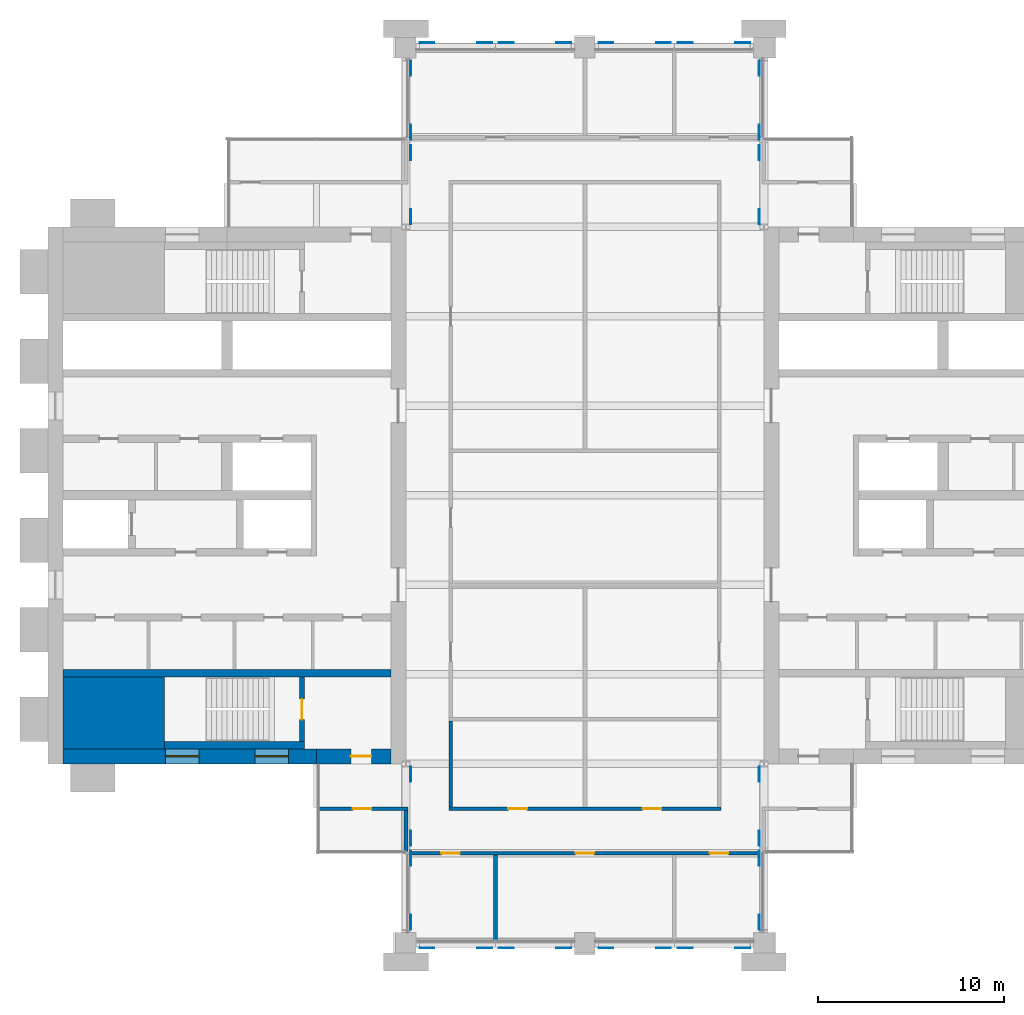
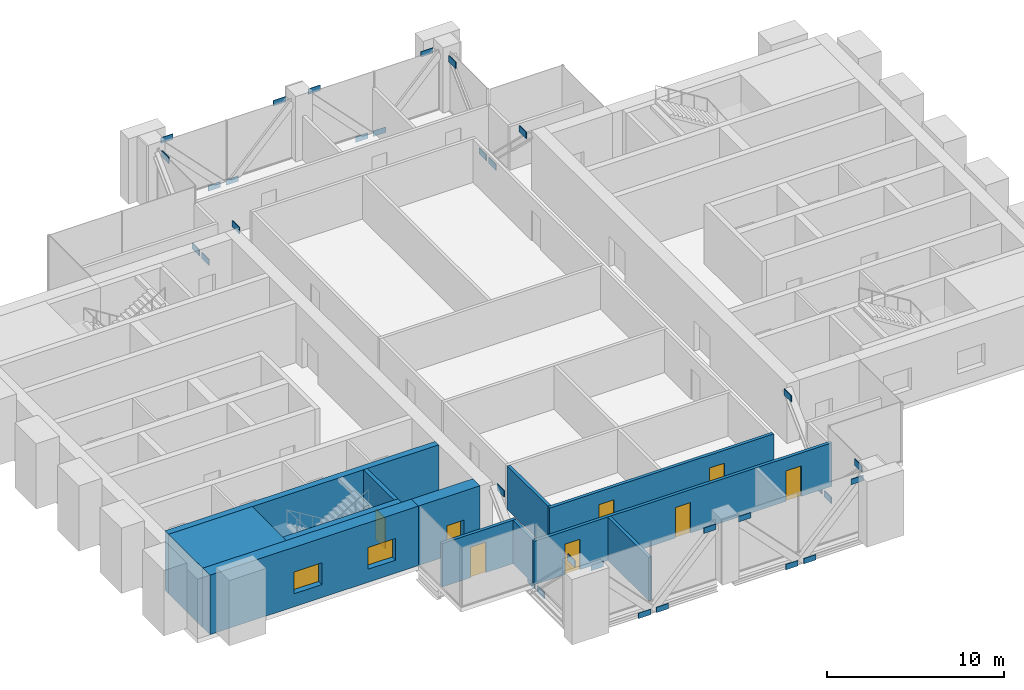
# One storey, part 8 of 13: 32 plates, 12 walls, 8 doors, 2 windows, 10 openings.
"""IFC4 building model written with IfcOpenShell, lengths in metres."""

from ifc_helpers import new_model, si_unit, direction, frame, frame_2d, origin, place, context, subcontext, project, spatial, polyline, rectangle, outline, extrude, material, layer, layer_set, type_object, element, fill, save


model = new_model("IFC4")

# Units and contexts
model_context = context("Model", 3, precision=1e-05, world=origin(), true_north=direction((0.0, 1.0)))
body_context = subcontext(model_context, "Body", "Model", "MODEL_VIEW")
ifc_project = project(units=[si_unit("LENGTHUNIT", "METRE"), si_unit("AREAUNIT", "SQUARE_METRE"), si_unit("VOLUMEUNIT", "CUBIC_METRE"), si_unit("PLANEANGLEUNIT", "RADIAN"), si_unit("MASSUNIT", "GRAM", prefix="KILO")], contexts=[model_context])

# Site, building, storey
site_placement = place(None, origin())
site = spatial("IfcSite", under=ifc_project, at=site_placement, CompositionType="ELEMENT")
building_placement = place(site_placement, origin())
building = spatial("IfcBuilding", under=site, at=building_placement, Name="Baori Bourse Tower", CompositionType="ELEMENT")
storey_placement = place(building_placement, frame((0.0, 0.0, 265.199951171875)))
storey = spatial("IfcBuildingStorey", under=building, at=storey_placement, Name="L59", CompositionType="ELEMENT", Elevation=265.199951171875)

# Plates
ifc_material_1 = material(Name="Steel A572 Gr 50", Category="steel")
ifc_layer_1 = layer(ifc_material_1, 0.0400390625)
ifc_layer_set_1 = layer_set([ifc_layer_1], Name="Gusset plate 40")
plate_type_1 = type_object("IfcPlateType", Name="Gusset plate 40", PredefinedType="SHEET", material=ifc_layer_set_1)
plate_1_placement = place(storey_placement, frame((0.0, 0.0, 3.701171875)))
element("IfcPlate", 1, at=plate_1_placement, inside=storey, type_object=plate_type_1, Name="Gusset plate", PredefinedType="SHEET", context=body_context, shape_type="SweptSolid", body=[
    extrude(outline(polyline([(19.9326171875, -0.2939453125), (20.732666015625, -0.2939453125), (20.732666015625, -0.25390625), (19.9326171875, -0.25390625), (19.9326171875, -0.2939453125)])), origin(), (0.0, 0.0, 1.0), 0.3759765625),
])
plate_2_placement = place(storey_placement, frame((0.0, 0.0, -0.67578125)))
element("IfcPlate", 2, at=plate_2_placement, inside=storey, type_object=plate_type_1, Name="Gusset plate", PredefinedType="SHEET", context=body_context, shape_type="SweptSolid", body=[
    extrude(outline(polyline([(23.017333984375, -0.2939453125), (23.8173828125, -0.2939453125), (23.8173828125, -0.25390625), (23.017333984375, -0.25390625), (23.017333984375, -0.2939453125)])), origin(), (0.0, 0.0, 1.0), 0.375732421875),
])
plate_3_placement = place(storey_placement, frame((0.0, 0.0, -0.67578125)))
element("IfcPlate", 3, at=plate_3_placement, inside=storey, type_object=plate_type_1, Name="Gusset plate", PredefinedType="SHEET", context=body_context, shape_type="SweptSolid", body=[
    extrude(outline(polyline([(24.1826171875, -0.2939453125), (24.982666015625, -0.2939453125), (24.982666015625, -0.25390625), (24.1826171875, -0.25390625), (24.1826171875, -0.2939453125)])), origin(), (0.0, 0.0, 1.0), 0.375732421875),
])
plate_4_placement = place(storey_placement, frame((0.0, 0.0, 3.701171875)))
element("IfcPlate", 4, at=plate_4_placement, inside=storey, type_object=plate_type_1, Name="Gusset plate", PredefinedType="SHEET", context=body_context, shape_type="SweptSolid", body=[
    extrude(outline(polyline([(27.267333984375, -0.2939453125), (28.0673828125, -0.2939453125), (28.0673828125, -0.25390625), (27.267333984375, -0.25390625), (27.267333984375, -0.2939453125)])), origin(), (0.0, 0.0, 1.0), 0.3759765625),
])
plate_5_placement = place(storey_placement, frame((0.0, 0.0, 3.701171875)))
element("IfcPlate", 5, at=plate_5_placement, inside=storey, type_object=plate_type_1, Name="Gusset plate", PredefinedType="SHEET", context=body_context, shape_type="SweptSolid", body=[
    extrude(outline(polyline([(29.53271484375, -0.2939453125), (30.332763671875, -0.2939453125), (30.332763671875, -0.25390625), (29.53271484375, -0.25390625), (29.53271484375, -0.2939453125)])), origin(), (0.0, 0.0, 1.0), 0.3759765625),
])
plate_6_placement = place(storey_placement, frame((0.0, 0.0, -0.67578125)))
element("IfcPlate", 6, at=plate_6_placement, inside=storey, type_object=plate_type_1, Name="Gusset plate", PredefinedType="SHEET", context=body_context, shape_type="SweptSolid", body=[
    extrude(outline(polyline([(32.6171875, -0.2939453125), (33.417236328125, -0.2939453125), (33.417236328125, -0.25390625), (32.6171875, -0.25390625), (32.6171875, -0.2939453125)])), origin(), (0.0, 0.0, 1.0), 0.375732421875),
])
plate_7_placement = place(storey_placement, frame((0.0, 0.0, -0.67578125)))
element("IfcPlate", 7, at=plate_7_placement, inside=storey, type_object=plate_type_1, Name="Gusset plate", PredefinedType="SHEET", context=body_context, shape_type="SweptSolid", body=[
    extrude(outline(polyline([(33.78271484375, -0.2939453125), (34.582763671875, -0.2939453125), (34.582763671875, -0.25390625), (33.78271484375, -0.25390625), (33.78271484375, -0.2939453125)])), origin(), (0.0, 0.0, 1.0), 0.375732421875),
])
plate_8_placement = place(storey_placement, frame((0.0, 0.0, 3.701171875)))
element("IfcPlate", 8, at=plate_8_placement, inside=storey, type_object=plate_type_1, Name="Gusset plate", PredefinedType="SHEET", context=body_context, shape_type="SweptSolid", body=[
    extrude(outline(polyline([(36.8671875, -0.2939453125), (37.667236328125, -0.2939453125), (37.667236328125, -0.25390625), (36.8671875, -0.25390625), (36.8671875, -0.2939453125)])), origin(), (0.0, 0.0, 1.0), 0.3759765625),
])
plate_9_placement = place(storey_placement, frame((0.0, 0.0, 3.701171875)))
element("IfcPlate", 9, at=plate_9_placement, inside=storey, type_object=plate_type_1, Name="Gusset plate", PredefinedType="SHEET", context=body_context, shape_type="SweptSolid", body=[
    extrude(outline(polyline([(19.9326171875, 48.25390625), (20.732666015625, 48.25390625), (20.732666015625, 48.2939453125), (19.9326171875, 48.2939453125), (19.9326171875, 48.25390625)])), origin(), (0.0, 0.0, 1.0), 0.3759765625),
])
plate_10_placement = place(storey_placement, frame((0.0, 0.0, -0.67578125)))
element("IfcPlate", 10, at=plate_10_placement, inside=storey, type_object=plate_type_1, Name="Gusset plate", PredefinedType="SHEET", context=body_context, shape_type="SweptSolid", body=[
    extrude(outline(polyline([(23.017333984375, 48.25390625), (23.8173828125, 48.25390625), (23.8173828125, 48.2939453125), (23.017333984375, 48.2939453125), (23.017333984375, 48.25390625)])), origin(), (0.0, 0.0, 1.0), 0.375732421875),
])
plate_11_placement = place(storey_placement, frame((0.0, 0.0, -0.67578125)))
element("IfcPlate", 11, at=plate_11_placement, inside=storey, type_object=plate_type_1, Name="Gusset plate", PredefinedType="SHEET", context=body_context, shape_type="SweptSolid", body=[
    extrude(outline(polyline([(24.1826171875, 48.25390625), (24.982666015625, 48.25390625), (24.982666015625, 48.2939453125), (24.1826171875, 48.2939453125), (24.1826171875, 48.25390625)])), origin(), (0.0, 0.0, 1.0), 0.375732421875),
])
plate_12_placement = place(storey_placement, frame((0.0, 0.0, 3.701171875)))
element("IfcPlate", 12, at=plate_12_placement, inside=storey, type_object=plate_type_1, Name="Gusset plate", PredefinedType="SHEET", context=body_context, shape_type="SweptSolid", body=[
    extrude(outline(polyline([(27.267333984375, 48.25390625), (28.0673828125, 48.25390625), (28.0673828125, 48.2939453125), (27.267333984375, 48.2939453125), (27.267333984375, 48.25390625)])), origin(), (0.0, 0.0, 1.0), 0.3759765625),
])
plate_13_placement = place(storey_placement, frame((0.0, 0.0, 3.701171875)))
element("IfcPlate", 13, at=plate_13_placement, inside=storey, type_object=plate_type_1, Name="Gusset plate", PredefinedType="SHEET", context=body_context, shape_type="SweptSolid", body=[
    extrude(outline(polyline([(29.53271484375, 48.25390625), (30.332763671875, 48.25390625), (30.332763671875, 48.2939453125), (29.53271484375, 48.2939453125), (29.53271484375, 48.25390625)])), origin(), (0.0, 0.0, 1.0), 0.3759765625),
])
plate_14_placement = place(storey_placement, frame((0.0, 0.0, -0.67578125)))
element("IfcPlate", 14, at=plate_14_placement, inside=storey, type_object=plate_type_1, Name="Gusset plate", PredefinedType="SHEET", context=body_context, shape_type="SweptSolid", body=[
    extrude(outline(polyline([(32.6171875, 48.25390625), (33.417236328125, 48.25390625), (33.417236328125, 48.2939453125), (32.6171875, 48.2939453125), (32.6171875, 48.25390625)])), origin(), (0.0, 0.0, 1.0), 0.375732421875),
])
plate_15_placement = place(storey_placement, frame((0.0, 0.0, -0.67578125)))
element("IfcPlate", 15, at=plate_15_placement, inside=storey, type_object=plate_type_1, Name="Gusset plate", PredefinedType="SHEET", context=body_context, shape_type="SweptSolid", body=[
    extrude(outline(polyline([(33.78271484375, 48.25390625), (34.582763671875, 48.25390625), (34.582763671875, 48.2939453125), (33.78271484375, 48.2939453125), (33.78271484375, 48.25390625)])), origin(), (0.0, 0.0, 1.0), 0.375732421875),
])
plate_16_placement = place(storey_placement, frame((0.0, 0.0, 3.701171875)))
element("IfcPlate", 16, at=plate_16_placement, inside=storey, type_object=plate_type_1, Name="Gusset plate", PredefinedType="SHEET", context=body_context, shape_type="SweptSolid", body=[
    extrude(outline(polyline([(36.8671875, 48.25390625), (37.667236328125, 48.25390625), (37.667236328125, 48.2939453125), (36.8671875, 48.2939453125), (36.8671875, 48.25390625)])), origin(), (0.0, 0.0, 1.0), 0.3759765625),
])
ifc_material_2 = material(Name="Steel A572 Gr 50", Category="steel")
ifc_layer_2 = layer(ifc_material_2, 0.050048828125)
ifc_layer_set_2 = layer_set([ifc_layer_2], Name="Gusset plate 50")
plate_type_2 = type_object("IfcPlateType", Name="Gusset plate 50", PredefinedType="SHEET", material=ifc_layer_set_2)
plate_17_placement = place(storey_placement, frame((0.0, 0.0, 3.531005859375)))
element("IfcPlate", 17, at=plate_17_placement, inside=storey, type_object=plate_type_2, Name="Gusset plate", PredefinedType="SHEET", context=body_context, shape_type="SweptSolid", body=[
    extrude(outline(polyline([(19.42724609375, 0.696044921875), (19.477294921875, 0.696044921875), (19.477294921875, 1.49609375), (19.42724609375, 1.49609375), (19.42724609375, 0.696044921875)])), origin(), (0.0, 0.0, 1.0), 0.434814453125),
])
plate_18_placement = place(storey_placement, frame((0.0, 0.0, -0.734619140625)))
element("IfcPlate", 18, at=plate_18_placement, inside=storey, type_object=plate_type_2, Name="Gusset plate", PredefinedType="SHEET", context=body_context, shape_type="SweptSolid", body=[
    extrude(outline(polyline([(19.42724609375, 4.12890625), (19.477294921875, 4.12890625), (19.477294921875, 4.928955078125), (19.42724609375, 4.928955078125), (19.42724609375, 4.12890625)])), origin(), (0.0, 0.0, 1.0), 0.4345703125),
])
plate_19_placement = place(storey_placement, frame((0.0, 0.0, -0.734619140625)))
element("IfcPlate", 19, at=plate_19_placement, inside=storey, type_object=plate_type_2, Name="Gusset plate", PredefinedType="SHEET", context=body_context, shape_type="SweptSolid", body=[
    extrude(outline(polyline([(19.42724609375, 5.22119140625), (19.477294921875, 5.22119140625), (19.477294921875, 6.02099609375), (19.42724609375, 6.02099609375), (19.42724609375, 5.22119140625)])), origin(), (0.0, 0.0, 1.0), 0.4345703125),
])
plate_20_placement = place(storey_placement, frame((0.0, 0.0, 3.531005859375)))
element("IfcPlate", 20, at=plate_20_placement, inside=storey, type_object=plate_type_2, Name="Gusset plate", PredefinedType="SHEET", context=body_context, shape_type="SweptSolid", body=[
    extrude(outline(polyline([(19.42724609375, 8.65380859375), (19.477294921875, 8.65380859375), (19.477294921875, 9.453857421875), (19.42724609375, 9.453857421875), (19.42724609375, 8.65380859375)])), origin(), (0.0, 0.0, 1.0), 0.434814453125),
])
plate_21_placement = place(storey_placement, frame((0.0, 0.0, 3.531005859375)))
element("IfcPlate", 21, at=plate_21_placement, inside=storey, type_object=plate_type_2, Name="Gusset plate", PredefinedType="SHEET", context=body_context, shape_type="SweptSolid", body=[
    extrude(outline(polyline([(19.42724609375, 38.546142578125), (19.477294921875, 38.546142578125), (19.477294921875, 39.34619140625), (19.42724609375, 39.34619140625), (19.42724609375, 38.546142578125)])), origin(), (0.0, 0.0, 1.0), 0.434814453125),
])
plate_22_placement = place(storey_placement, frame((0.0, 0.0, -0.734619140625)))
element("IfcPlate", 22, at=plate_22_placement, inside=storey, type_object=plate_type_2, Name="Gusset plate", PredefinedType="SHEET", context=body_context, shape_type="SweptSolid", body=[
    extrude(outline(polyline([(19.42724609375, 41.97900390625), (19.477294921875, 41.97900390625), (19.477294921875, 42.77880859375), (19.42724609375, 42.77880859375), (19.42724609375, 41.97900390625)])), origin(), (0.0, 0.0, 1.0), 0.4345703125),
])
plate_23_placement = place(storey_placement, frame((0.0, 0.0, -0.734619140625)))
element("IfcPlate", 23, at=plate_23_placement, inside=storey, type_object=plate_type_2, Name="Gusset plate", PredefinedType="SHEET", context=body_context, shape_type="SweptSolid", body=[
    extrude(outline(polyline([(19.42724609375, 43.071044921875), (19.477294921875, 43.071044921875), (19.477294921875, 43.87109375), (19.42724609375, 43.87109375), (19.42724609375, 43.071044921875)])), origin(), (0.0, 0.0, 1.0), 0.4345703125),
])
plate_24_placement = place(storey_placement, frame((0.0, 0.0, 3.531005859375)))
element("IfcPlate", 24, at=plate_24_placement, inside=storey, type_object=plate_type_2, Name="Gusset plate", PredefinedType="SHEET", context=body_context, shape_type="SweptSolid", body=[
    extrude(outline(polyline([(19.42724609375, 46.50390625), (19.477294921875, 46.50390625), (19.477294921875, 47.303955078125), (19.42724609375, 47.303955078125), (19.42724609375, 46.50390625)])), origin(), (0.0, 0.0, 1.0), 0.434814453125),
])
plate_25_placement = place(storey_placement, frame((0.0, 0.0, 3.531005859375)))
element("IfcPlate", 25, at=plate_25_placement, inside=storey, type_object=plate_type_2, Name="Gusset plate", PredefinedType="SHEET", context=body_context, shape_type="SweptSolid", body=[
    extrude(outline(polyline([(38.12255859375, 0.696044921875), (38.172607421875, 0.696044921875), (38.172607421875, 1.49609375), (38.12255859375, 1.49609375), (38.12255859375, 0.696044921875)])), origin(), (0.0, 0.0, 1.0), 0.434814453125),
])
plate_26_placement = place(storey_placement, frame((0.0, 0.0, -0.734619140625)))
element("IfcPlate", 26, at=plate_26_placement, inside=storey, type_object=plate_type_2, Name="Gusset plate", PredefinedType="SHEET", context=body_context, shape_type="SweptSolid", body=[
    extrude(outline(polyline([(38.12255859375, 4.12890625), (38.172607421875, 4.12890625), (38.172607421875, 4.928955078125), (38.12255859375, 4.928955078125), (38.12255859375, 4.12890625)])), origin(), (0.0, 0.0, 1.0), 0.4345703125),
])
plate_27_placement = place(storey_placement, frame((0.0, 0.0, -0.734619140625)))
element("IfcPlate", 27, at=plate_27_placement, inside=storey, type_object=plate_type_2, Name="Gusset plate", PredefinedType="SHEET", context=body_context, shape_type="SweptSolid", body=[
    extrude(outline(polyline([(38.12255859375, 5.22119140625), (38.172607421875, 5.22119140625), (38.172607421875, 6.02099609375), (38.12255859375, 6.02099609375), (38.12255859375, 5.22119140625)])), origin(), (0.0, 0.0, 1.0), 0.4345703125),
])
plate_28_placement = place(storey_placement, frame((0.0, 0.0, 3.531005859375)))
element("IfcPlate", 28, at=plate_28_placement, inside=storey, type_object=plate_type_2, Name="Gusset plate", PredefinedType="SHEET", context=body_context, shape_type="SweptSolid", body=[
    extrude(outline(polyline([(38.12255859375, 8.65380859375), (38.172607421875, 8.65380859375), (38.172607421875, 9.453857421875), (38.12255859375, 9.453857421875), (38.12255859375, 8.65380859375)])), origin(), (0.0, 0.0, 1.0), 0.434814453125),
])
plate_29_placement = place(storey_placement, frame((0.0, 0.0, 3.531005859375)))
element("IfcPlate", 29, at=plate_29_placement, inside=storey, type_object=plate_type_2, Name="Gusset plate", PredefinedType="SHEET", context=body_context, shape_type="SweptSolid", body=[
    extrude(outline(polyline([(38.12255859375, 38.546142578125), (38.172607421875, 38.546142578125), (38.172607421875, 39.34619140625), (38.12255859375, 39.34619140625), (38.12255859375, 38.546142578125)])), origin(), (0.0, 0.0, 1.0), 0.434814453125),
])
plate_30_placement = place(storey_placement, frame((0.0, 0.0, -0.734619140625)))
element("IfcPlate", 30, at=plate_30_placement, inside=storey, type_object=plate_type_2, Name="Gusset plate", PredefinedType="SHEET", context=body_context, shape_type="SweptSolid", body=[
    extrude(outline(polyline([(38.12255859375, 41.97900390625), (38.172607421875, 41.97900390625), (38.172607421875, 42.77880859375), (38.12255859375, 42.77880859375), (38.12255859375, 41.97900390625)])), origin(), (0.0, 0.0, 1.0), 0.4345703125),
])
plate_31_placement = place(storey_placement, frame((0.0, 0.0, -0.734619140625)))
element("IfcPlate", 31, at=plate_31_placement, inside=storey, type_object=plate_type_2, Name="Gusset plate", PredefinedType="SHEET", context=body_context, shape_type="SweptSolid", body=[
    extrude(outline(polyline([(38.12255859375, 43.071044921875), (38.172607421875, 43.071044921875), (38.172607421875, 43.87109375), (38.12255859375, 43.87109375), (38.12255859375, 43.071044921875)])), origin(), (0.0, 0.0, 1.0), 0.4345703125),
])
plate_32_placement = place(storey_placement, frame((0.0, 0.0, 3.531005859375)))
element("IfcPlate", 32, at=plate_32_placement, inside=storey, type_object=plate_type_2, Name="Gusset plate", PredefinedType="SHEET", context=body_context, shape_type="SweptSolid", body=[
    extrude(outline(polyline([(38.12255859375, 46.50390625), (38.172607421875, 46.50390625), (38.172607421875, 47.303955078125), (38.12255859375, 47.303955078125), (38.12255859375, 46.50390625)])), origin(), (0.0, 0.0, 1.0), 0.434814453125),
])

# Wall
ifc_material_3 = material(Name="Concrete f'c 50 MPa", Category="concrete")
wall_type_1 = type_object("IfcWallType", Name="Core corner block f'c 50", PredefinedType="SHEAR", material=ifc_material_3)
wall_1_placement = place(storey_placement, frame((0.800048828125, 12.324951171875, 0.0), z_axis=(0.0, 0.0, 1.0), x_axis=(1.0, 0.0, 0.0)))
element("IfcWall", 33, at=wall_1_placement, inside=storey, type_object=wall_type_1, Name="Core wall W05", PredefinedType="SHEAR", context=body_context, shape_type="SweptSolid", body=[
    extrude(rectangle(XDim=5.449951171875, YDim=3.85009765625, at=frame_2d((2.72509765625, 0.0))), origin(), (0.0, 0.0, 1.0), 4.10009765625),
])

# Wall, openings, windows
ifc_material_4 = material(Name="Concrete f'c 50 MPa", Category="concrete")
ifc_layer_3 = layer(ifc_material_4, 0.800048828125)
ifc_layer_set_3 = layer_set([ifc_layer_3], Name="Core wall 800 f'c 50")
wall_type_2 = type_object("IfcWallType", Name="Core wall 800 f'c 50", PredefinedType="SHEAR", material=ifc_layer_set_3)
wall_2_placement = place(storey_placement, frame((14.39990234375, 10.0, 0.0), z_axis=(0.0, 0.0, 1.0), x_axis=(-1.0, 0.0, 0.0)))
wall_2 = element("IfcWall", 34, at=wall_2_placement, inside=storey, type_object=wall_type_2, Name="Core wall W02", PredefinedType="SHEAR", context=body_context, shape_type="SweptSolid", body=[
    extrude(rectangle(XDim=13.599853515625, YDim=0.800048828125, at=frame_2d((6.7998046875, 0.0))), origin(), (0.0, 0.0, 1.0), 4.10009765625),
])
opening_1_placement = place(wall_2_placement, frame((6.300048828125, 0.0, 0.89990234375)))
opening_1 = element("IfcOpeningElement", 35, at=opening_1_placement, cuts=wall_2, Name="Opening L59-KW103", PredefinedType="OPENING", context=body_context, shape_type="SweptSolid", body=[
    extrude(rectangle(XDim=1.800048828125, YDim=1.5, at=frame_2d((0.89990234375, 0.75))), frame((0.0, 0.409912109375, 0.0), z_axis=(0.0, -1.0, 0.0), x_axis=(1.0, 0.0, 0.0)), (0.0, 0.0, 1.0), 0.820068359375),
])
opening_2_placement = place(wall_2_placement, frame((1.5, 0.0, 0.89990234375)))
opening_2 = element("IfcOpeningElement", 36, at=opening_2_placement, cuts=wall_2, Name="Opening L59-KW104", PredefinedType="OPENING", context=body_context, shape_type="SweptSolid", body=[
    extrude(rectangle(XDim=1.800048828125, YDim=1.5, at=frame_2d((0.89990234375, 0.75))), frame((0.0, 0.409912109375, 0.0), z_axis=(0.0, -1.0, 0.0), x_axis=(1.0, 0.0, 0.0)), (0.0, 0.0, 1.0), 0.820068359375),
])
ifc_material_5 = material(Name="Pale anodised aluminium", Category="aluminium")
window_type = type_object("IfcWindowType", Name="Stair window 1800 x 1500", PartitioningType="SINGLE_PANEL", PredefinedType="WINDOW", material=ifc_material_5)
window_1_placement = place(opening_1_placement, origin())
window_1 = element("IfcWindow", 37, at=window_1_placement, inside=storey, type_object=window_type, Name="Stair window W L59 3", OverallHeight=1.5, OverallWidth=1.800048828125, PartitioningType="SINGLE_PANEL", PredefinedType="WINDOW", context=body_context, shape_type="SweptSolid", body=[
    extrude(rectangle(XDim=1.800048828125, YDim=1.5, at=frame_2d((0.89990234375, 0.75))), frame((0.0, 0.030029296875, 0.0), z_axis=(0.0, -1.0, 0.0), x_axis=(1.0, 0.0, 0.0)), (0.0, 0.0, 1.0), 0.06005859375),
])
fill(opening_1, window_1)
window_2_placement = place(opening_2_placement, origin())
window_2 = element("IfcWindow", 38, at=window_2_placement, inside=storey, type_object=window_type, Name="Stair window W L59 4", OverallHeight=1.5, OverallWidth=1.800048828125, PartitioningType="SINGLE_PANEL", PredefinedType="WINDOW", context=body_context, shape_type="SweptSolid", body=[
    extrude(rectangle(XDim=1.800048828125, YDim=1.5, at=frame_2d((0.89990234375, 0.75))), frame((0.0, 0.030029296875, 0.0), z_axis=(0.0, -1.0, 0.0), x_axis=(1.0, 0.0, 0.0)), (0.0, 0.0, 1.0), 0.06005859375),
])
fill(opening_2, window_2)

# Wall, opening, door
wall_3_placement = place(storey_placement, frame((18.39990234375, 10.0, 0.0), z_axis=(0.0, 0.0, 1.0), x_axis=(-1.0, 0.0, 0.0)))
wall_3 = element("IfcWall", 39, at=wall_3_placement, inside=storey, type_object=wall_type_2, Name="Core wall W03", PredefinedType="SHEAR", context=body_context, shape_type="SweptSolid", body=[
    extrude(rectangle(XDim=4.0, YDim=0.800048828125, at=frame_2d((2.0, 0.0))), origin(), (0.0, 0.0, 1.0), 4.10009765625),
])
opening_3_placement = place(wall_3_placement, frame((1.050048828125, 0.0, 0.0)))
opening_3 = element("IfcOpeningElement", 40, at=opening_3_placement, cuts=wall_3, Name="Opening L59-D102", PredefinedType="OPENING", context=body_context, shape_type="SweptSolid", body=[
    extrude(rectangle(XDim=1.10009765625, YDim=2.10009765625, at=frame_2d((0.550048828125, 1.050048828125))), frame((0.0, 0.409912109375, 0.0), z_axis=(0.0, -1.0, 0.0), x_axis=(1.0, 0.0, 0.0)), (0.0, 0.0, 1.0), 0.820068359375),
])
ifc_material_6 = material(Name="Painted steel door", Category="steel")
door_type_1 = type_object("IfcDoorType", Name="Stair door 1100", OperationType="SINGLE_SWING_LEFT", PredefinedType="DOOR", material=ifc_material_6)
door_1_placement = place(opening_3_placement, origin())
door_1 = element("IfcDoor", 41, at=door_1_placement, inside=storey, type_object=door_type_1, Name="Stair vestibule door A W L59", OperationType="SINGLE_SWING_LEFT", OverallHeight=2.10009765625, OverallWidth=1.10009765625, PredefinedType="DOOR", context=body_context, shape_type="SweptSolid", body=[
    extrude(rectangle(XDim=1.10009765625, YDim=2.10009765625, at=frame_2d((0.550048828125, 1.050048828125))), frame((0.0, 0.02490234375, 0.0), z_axis=(0.0, -1.0, 0.0), x_axis=(1.0, 0.0, 0.0)), (0.0, 0.0, 1.0), 0.050048828125),
])
fill(opening_3, door_1)

# Wall, openings, doors
ifc_material_7 = material(Name="Gypsum board partition")
ifc_layer_4 = layer(ifc_material_7, 0.199951171875)
ifc_layer_set_4 = layer_set([ifc_layer_4], Name="Plant room wall 200")
wall_type_3 = type_object("IfcWallType", Name="Plant room wall 200", PredefinedType="PARTITIONING", material=ifc_layer_set_4)
wall_4_placement = place(storey_placement, frame((19.10009765625, 4.800048828125, 0.0), z_axis=(0.0, 0.0, 1.0), x_axis=(1.0, 0.0, 0.0)))
wall_4 = element("IfcWall", 42, at=wall_4_placement, inside=storey, type_object=wall_type_3, Name="Partition", PredefinedType="PARTITIONING", context=body_context, shape_type="SweptSolid", body=[
    extrude(rectangle(XDim=19.39990234375, YDim=0.199951171875, at=frame_2d((9.699951171875, 0.0))), origin(), (0.0, 0.0, 1.0), 2.99267578125),
])
opening_4_placement = place(wall_4_placement, frame((2.0, 0.0, 0.0)))
opening_4 = element("IfcOpeningElement", 43, at=opening_4_placement, cuts=wall_4, Name="Opening L59-D01", PredefinedType="OPENING", context=body_context, shape_type="SweptSolid", body=[
    extrude(rectangle(XDim=1.0, YDim=2.10009765625, at=frame_2d((0.5, 1.050048828125))), frame((0.0, 0.10986328125, 0.0), z_axis=(0.0, -1.0, 0.0), x_axis=(1.0, 0.0, 0.0)), (0.0, 0.0, 1.0), 0.219970703125),
])
opening_5_placement = place(wall_4_placement, frame((9.199951171875, 0.0, 0.0)))
opening_5 = element("IfcOpeningElement", 44, at=opening_5_placement, cuts=wall_4, Name="Opening L59-D02", PredefinedType="OPENING", context=body_context, shape_type="SweptSolid", body=[
    extrude(rectangle(XDim=1.0, YDim=2.10009765625, at=frame_2d((0.5, 1.050048828125))), frame((0.0, 0.10986328125, 0.0), z_axis=(0.0, -1.0, 0.0), x_axis=(1.0, 0.0, 0.0)), (0.0, 0.0, 1.0), 0.219970703125),
])
opening_6_placement = place(wall_4_placement, frame((16.39990234375, 0.0, 0.0)))
opening_6 = element("IfcOpeningElement", 45, at=opening_6_placement, cuts=wall_4, Name="Opening L59-D03", PredefinedType="OPENING", context=body_context, shape_type="SweptSolid", body=[
    extrude(rectangle(XDim=1.0, YDim=2.10009765625, at=frame_2d((0.5, 1.050048828125))), frame((0.0, 0.10986328125, 0.0), z_axis=(0.0, -1.0, 0.0), x_axis=(1.0, 0.0, 0.0)), (0.0, 0.0, 1.0), 0.219970703125),
])
ifc_material_8 = material(Name="Timber door leaf", Category="wood")
door_type_2 = type_object("IfcDoorType", Name="Door 1000 x 2100", OperationType="SINGLE_SWING_LEFT", PredefinedType="DOOR", material=ifc_material_8)
door_2_placement = place(opening_4_placement, origin())
door_2 = element("IfcDoor", 46, at=door_2_placement, inside=storey, type_object=door_type_2, Name="Door", OperationType="SINGLE_SWING_LEFT", OverallHeight=2.10009765625, OverallWidth=1.0, PredefinedType="DOOR", context=body_context, shape_type="SweptSolid", body=[
    extrude(rectangle(XDim=1.0, YDim=2.10009765625, at=frame_2d((0.5, 1.050048828125))), frame((0.0, 0.02490234375, 0.0), z_axis=(0.0, -1.0, 0.0), x_axis=(1.0, 0.0, 0.0)), (0.0, 0.0, 1.0), 0.050048828125),
])
fill(opening_4, door_2)
door_3_placement = place(opening_5_placement, origin())
door_3 = element("IfcDoor", 47, at=door_3_placement, inside=storey, type_object=door_type_2, Name="Door", OperationType="SINGLE_SWING_LEFT", OverallHeight=2.10009765625, OverallWidth=1.0, PredefinedType="DOOR", context=body_context, shape_type="SweptSolid", body=[
    extrude(rectangle(XDim=1.0, YDim=2.10009765625, at=frame_2d((0.5, 1.050048828125))), frame((0.0, 0.02490234375, 0.0), z_axis=(0.0, -1.0, 0.0), x_axis=(1.0, 0.0, 0.0)), (0.0, 0.0, 1.0), 0.050048828125),
])
fill(opening_5, door_3)
door_4_placement = place(opening_6_placement, origin())
door_4 = element("IfcDoor", 48, at=door_4_placement, inside=storey, type_object=door_type_2, Name="Door", OperationType="SINGLE_SWING_RIGHT", OverallHeight=2.10009765625, OverallWidth=1.0, PredefinedType="DOOR", context=body_context, shape_type="SweptSolid", body=[
    extrude(rectangle(XDim=1.0, YDim=2.10009765625, at=frame_2d((0.5, 1.050048828125))), frame((0.0, 0.02490234375, 0.0), z_axis=(0.0, -1.0, 0.0), x_axis=(1.0, 0.0, 0.0)), (0.0, 0.0, 1.0), 0.050048828125),
])
fill(opening_6, door_4)

# Wall, opening, door
wall_5_placement = place(storey_placement, frame((14.5, 7.199951171875, 0.0), z_axis=(0.0, 0.0, 1.0), x_axis=(1.0, 0.0, 0.0)))
wall_5 = element("IfcWall", 49, at=wall_5_placement, inside=storey, type_object=wall_type_3, Name="Partition", PredefinedType="PARTITIONING", context=body_context, shape_type="SweptSolid", body=[
    extrude(rectangle(XDim=4.800048828125, YDim=0.199951171875, at=frame_2d((2.39990234375, 0.0))), origin(), (0.0, 0.0, 1.0), 2.99267578125),
])
opening_7_placement = place(wall_5_placement, frame((1.85009765625, 0.0, 0.0)))
opening_7 = element("IfcOpeningElement", 50, at=opening_7_placement, cuts=wall_5, Name="Opening L59-D04", PredefinedType="OPENING", context=body_context, shape_type="SweptSolid", body=[
    extrude(rectangle(XDim=1.0, YDim=2.10009765625, at=frame_2d((0.5, 1.050048828125))), frame((0.0, 0.10986328125, 0.0), z_axis=(0.0, -1.0, 0.0), x_axis=(1.0, 0.0, 0.0)), (0.0, 0.0, 1.0), 0.219970703125),
])
door_5_placement = place(opening_7_placement, origin())
door_5 = element("IfcDoor", 51, at=door_5_placement, inside=storey, type_object=door_type_2, Name="Door", OperationType="SINGLE_SWING_LEFT", OverallHeight=2.10009765625, OverallWidth=1.0, PredefinedType="DOOR", context=body_context, shape_type="SweptSolid", body=[
    extrude(rectangle(XDim=1.0, YDim=2.10009765625, at=frame_2d((0.5, 1.050048828125))), frame((0.0, 0.02490234375, 0.0), z_axis=(0.0, -1.0, 0.0), x_axis=(1.0, 0.0, 0.0)), (0.0, 0.0, 1.0), 0.050048828125),
])
fill(opening_7, door_5)

# Wall, openings, doors
wall_6_placement = place(storey_placement, frame((21.5, 7.199951171875, 0.0), z_axis=(0.0, 0.0, 1.0), x_axis=(1.0, 0.0, 0.0)))
wall_6 = element("IfcWall", 52, at=wall_6_placement, inside=storey, type_object=wall_type_3, Name="Partition", PredefinedType="PARTITIONING", context=body_context, shape_type="SweptSolid", body=[
    extrude(rectangle(XDim=14.60009765625, YDim=0.199951171875, at=frame_2d((7.300048828125, 0.0))), origin(), (0.0, 0.0, 1.0), 2.99267578125),
])
opening_8_placement = place(wall_6_placement, frame((3.199951171875, 0.0, 0.0)))
opening_8 = element("IfcOpeningElement", 53, at=opening_8_placement, cuts=wall_6, Name="Opening L59-D05", PredefinedType="OPENING", context=body_context, shape_type="SweptSolid", body=[
    extrude(rectangle(XDim=1.0, YDim=2.10009765625, at=frame_2d((0.5, 1.050048828125))), frame((0.0, 0.10986328125, 0.0), z_axis=(0.0, -1.0, 0.0), x_axis=(1.0, 0.0, 0.0)), (0.0, 0.0, 1.0), 0.219970703125),
])
opening_9_placement = place(wall_6_placement, frame((10.39990234375, 0.0, 0.0)))
opening_9 = element("IfcOpeningElement", 54, at=opening_9_placement, cuts=wall_6, Name="Opening L59-D06", PredefinedType="OPENING", context=body_context, shape_type="SweptSolid", body=[
    extrude(rectangle(XDim=1.0, YDim=2.10009765625, at=frame_2d((0.5, 1.050048828125))), frame((0.0, 0.10986328125, 0.0), z_axis=(0.0, -1.0, 0.0), x_axis=(1.0, 0.0, 0.0)), (0.0, 0.0, 1.0), 0.219970703125),
])
door_6_placement = place(opening_8_placement, origin())
door_6 = element("IfcDoor", 55, at=door_6_placement, inside=storey, type_object=door_type_2, Name="Door", OperationType="SINGLE_SWING_RIGHT", OverallHeight=2.10009765625, OverallWidth=1.0, PredefinedType="DOOR", context=body_context, shape_type="SweptSolid", body=[
    extrude(rectangle(XDim=1.0, YDim=2.10009765625, at=frame_2d((0.5, 1.050048828125))), frame((0.0, 0.02490234375, 0.0), z_axis=(0.0, -1.0, 0.0), x_axis=(1.0, 0.0, 0.0)), (0.0, 0.0, 1.0), 0.050048828125),
])
fill(opening_8, door_6)
door_7_placement = place(opening_9_placement, origin())
door_7 = element("IfcDoor", 56, at=door_7_placement, inside=storey, type_object=door_type_2, Name="Door", OperationType="SINGLE_SWING_LEFT", OverallHeight=2.10009765625, OverallWidth=1.0, PredefinedType="DOOR", context=body_context, shape_type="SweptSolid", body=[
    extrude(rectangle(XDim=1.0, YDim=2.10009765625, at=frame_2d((0.5, 1.050048828125))), frame((0.0, 0.02490234375, 0.0), z_axis=(0.0, -1.0, 0.0), x_axis=(1.0, 0.0, 0.0)), (0.0, 0.0, 1.0), 0.050048828125),
])
fill(opening_9, door_7)

# Walls
wall_7_placement = place(storey_placement, frame((19.199951171875, 4.89990234375, 0.0), z_axis=(0.0, 0.0, 1.0), x_axis=(0.0, 1.0, 0.0)))
element("IfcWall", 57, at=wall_7_placement, inside=storey, type_object=wall_type_3, Name="Partition", PredefinedType="PARTITIONING", context=body_context, shape_type="SweptSolid", body=[
    extrude(rectangle(XDim=2.2001953125, YDim=0.199951171875, at=frame_2d((1.10009765625, 0.0))), origin(), (0.0, 0.0, 1.0), 2.99267578125),
])
for number, where, z_axis, x_axis, name in (
    (58, (21.60009765625, 7.300048828125, 0.0), (0.0, 0.0, 1.0), (0.0, 1.0, 0.0), "Partition"),
    (59, (24.0, 0.10009765625, 0.0), (0.0, 0.0, 1.0), (0.0, 1.0, 0.0), "Partition"),
):
    element("IfcWall", number, at=place(storey_placement, frame(where, z_axis=z_axis, x_axis=x_axis)), inside=storey, type_object=wall_type_3, Name=name, PredefinedType="PARTITIONING", context=body_context, shape_type="SweptSolid", body=[
        extrude(rectangle(XDim=4.599853515625, YDim=0.199951171875, at=frame_2d((2.2998046875, 0.0))), origin(), (0.0, 0.0, 1.0), 2.99267578125),
    ])

# Wall, opening, door
ifc_material_9 = material(Name="Concrete f'c 50 MPa", Category="concrete")
ifc_layer_5 = layer(ifc_material_9, 0.25)
ifc_layer_set_5 = layer_set([ifc_layer_5], Name="Shaft wall 250 f'c 50")
wall_type_4 = type_object("IfcWallType", Name="Shaft wall 250 f'c 50", PredefinedType="SHEAR", material=ifc_layer_set_5)
wall_8_placement = place(storey_placement, frame((13.625, 10.800048828125, 0.0), z_axis=(0.0, 0.0, 1.0), x_axis=(0.0, 1.0, 0.0)))
wall_8 = element("IfcWall", 60, at=wall_8_placement, inside=storey, type_object=wall_type_4, Name="Core wall W07", PredefinedType="SHEAR", context=body_context, shape_type="SweptSolid", body=[
    extrude(rectangle(XDim=3.449951171875, YDim=0.25, at=frame_2d((1.72509765625, 0.0))), origin(), (0.0, 0.0, 1.0), 4.10009765625),
])
opening_10_placement = place(wall_8_placement, frame((1.175048828125, 0.0, 0.0)))
opening_10 = element("IfcOpeningElement", 61, at=opening_10_placement, cuts=wall_8, Name="Opening L59-D101", PredefinedType="OPENING", context=body_context, shape_type="SweptSolid", body=[
    extrude(rectangle(XDim=1.10009765625, YDim=2.10009765625, at=frame_2d((0.550048828125, 1.050048828125))), frame((0.0, 0.135009765625, 0.0), z_axis=(0.0, -1.0, 0.0), x_axis=(1.0, 0.0, 0.0)), (0.0, 0.0, 1.0), 0.27001953125),
])
door_8_placement = place(opening_10_placement, origin())
door_8 = element("IfcDoor", 62, at=door_8_placement, inside=storey, type_object=door_type_1, Name="Stair door A W L59", OperationType="SINGLE_SWING_LEFT", OverallHeight=2.10009765625, OverallWidth=1.10009765625, PredefinedType="DOOR", context=body_context, shape_type="SweptSolid", body=[
    extrude(rectangle(XDim=1.10009765625, YDim=2.10009765625, at=frame_2d((0.550048828125, 1.050048828125))), frame((0.0, 0.02490234375, 0.0), z_axis=(0.0, -1.0, 0.0), x_axis=(1.0, 0.0, 0.0)), (0.0, 0.0, 1.0), 0.050048828125),
])
fill(opening_10, door_8)

# Walls
ifc_material_10 = material(Name="Concrete f'c 50 MPa", Category="concrete")
ifc_layer_6 = layer(ifc_material_10, 0.39990234375)
ifc_layer_set_6 = layer_set([ifc_layer_6], Name="Shaft wall 400 f'c 50")
wall_type_5 = type_object("IfcWallType", Name="Shaft wall 400 f'c 50", PredefinedType="SHEAR", material=ifc_layer_set_6)
wall_9_placement = place(storey_placement, frame((6.25, 10.60009765625, 0.0), z_axis=(0.0, 0.0, 1.0), x_axis=(1.0, 0.0, 0.0)))
element("IfcWall", 63, at=wall_9_placement, inside=storey, type_object=wall_type_5, Name="Core wall W06", PredefinedType="SHEAR", context=body_context, shape_type="SweptSolid", body=[
    extrude(rectangle(XDim=7.5, YDim=0.39990234375, at=frame_2d((3.75, 0.0))), origin(), (0.0, 0.0, 1.0), 4.10009765625),
])
wall_10_placement = place(storey_placement, frame((0.800048828125, 14.449951171875, 0.0), z_axis=(0.0, 0.0, 1.0), x_axis=(1.0, 0.0, 0.0)))
element("IfcWall", 64, at=wall_10_placement, inside=storey, type_object=wall_type_5, Name="Core wall W08", PredefinedType="SHEAR", context=body_context, shape_type="SweptSolid", body=[
    extrude(rectangle(XDim=17.599853515625, YDim=0.39990234375, at=frame_2d((8.7998046875, 0.0))), origin(), (0.0, 0.0, 1.0), 4.10009765625),
])

save(model, "model.ifc")
